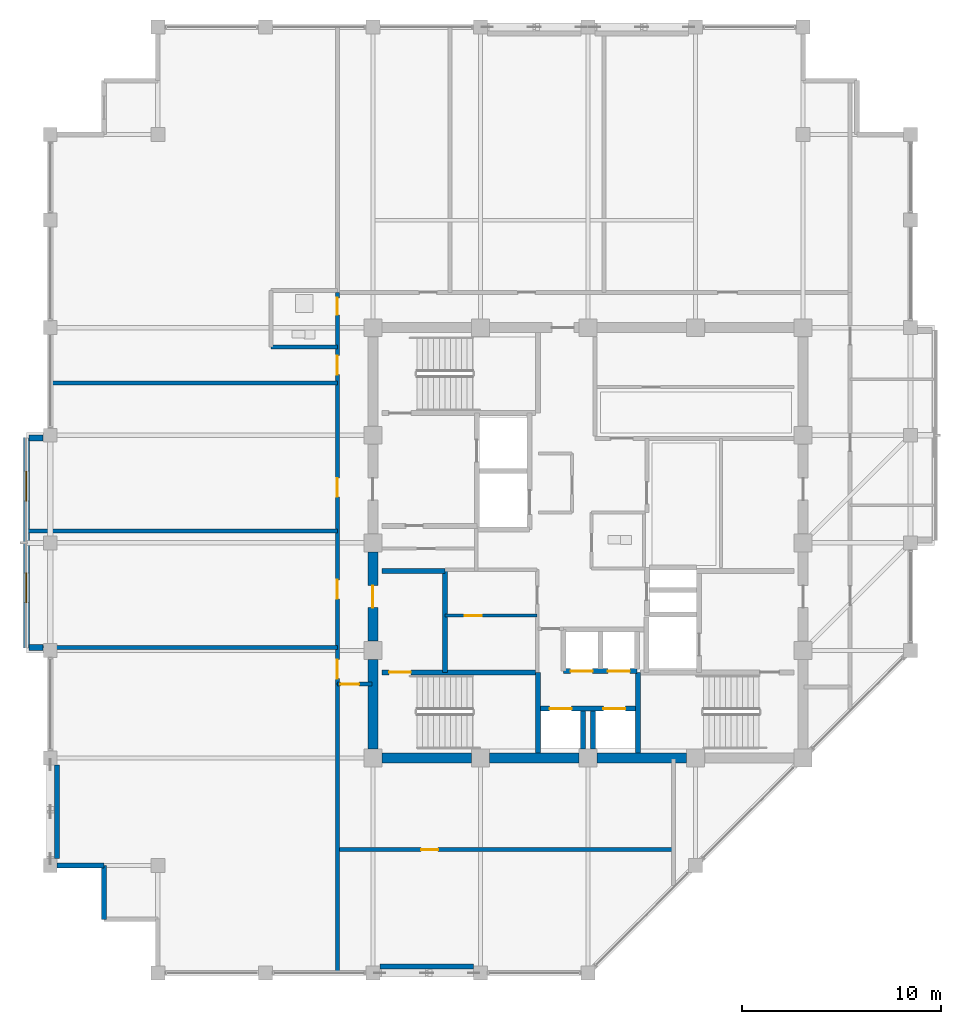
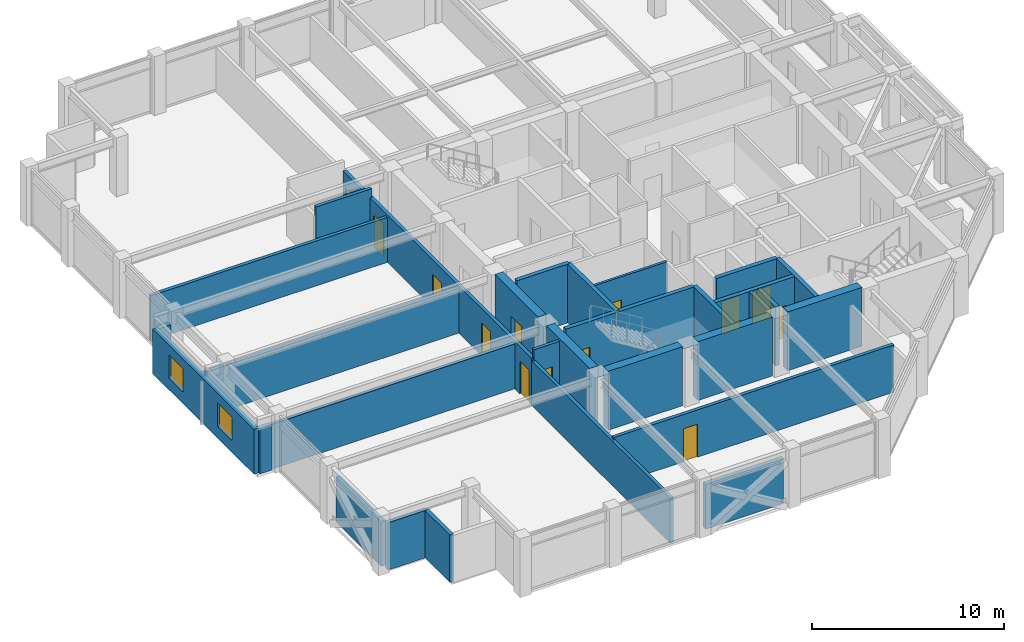
# One storey, part 23 of 29: 30 walls, 14 doors, 2 windows, 16 openings.
"""IFC4 building model written with IfcOpenShell, lengths in metres."""

from ifc_helpers import new_model, si_unit, direction, frame, frame_2d, origin, place, context, subcontext, project, spatial, rectangle, extrude, material, layer, layer_set, type_object, element, fill, save


model = new_model("IFC4")

# Units and contexts
model_context = context("Model", 3, precision=1e-05, world=origin(), true_north=direction((0.0, 1.0)))
body_context = subcontext(model_context, "Body", "Model", "MODEL_VIEW")
ifc_project = project(units=[si_unit("LENGTHUNIT", "METRE"), si_unit("AREAUNIT", "SQUARE_METRE"), si_unit("VOLUMEUNIT", "CUBIC_METRE"), si_unit("PLANEANGLEUNIT", "RADIAN"), si_unit("MASSUNIT", "GRAM", prefix="KILO")], contexts=[model_context])

# Site, building, storey
site_placement = place(None, origin())
site = spatial("IfcSite", under=ifc_project, at=site_placement, CompositionType="ELEMENT")
building_placement = place(site_placement, origin())
building = spatial("IfcBuilding", under=site, at=building_placement, Name="Surkhivell Harbour Commons", CompositionType="ELEMENT")
storey_placement = place(building_placement, frame((0.0, 0.0, 277.5)))
storey = spatial("IfcBuildingStorey", under=building, at=storey_placement, Name="L72", CompositionType="ELEMENT", Elevation=277.5)

# Walls
ifc_material_1 = material(Name="Concrete C50/60", Category="concrete")
ifc_layer_1 = layer(ifc_material_1, 0.5)
ifc_layer_set_1 = layer_set([ifc_layer_1], Name="Concrete C50/60")
wall_type_1 = type_object("IfcWallType", Name="WAL-CORE-500", PredefinedType="SHEAR", material=ifc_layer_set_1)
for number, where, z_axis, x_axis, name in (
    (1, (-10.340087890625, -10.800048828125, 0.0), (0.0, 0.0, 1.0), (1.0, 0.0, 0.0), "L72 Core Shear Wall South 1"),
    (2, (-10.800048828125, -10.340087890625, 0.0), (0.0, 0.0, 1.0), (0.0, 1.0, 0.0), "L72 Core Shear Wall West 1"),
    (3, (-4.93994140625, -10.800048828125, 0.0), (0.0, 0.0, 1.0), (1.0, 0.0, 0.0), "L72 Core Shear Wall South 2"),
):
    element("IfcWall", number, at=place(storey_placement, frame(where, z_axis=z_axis, x_axis=x_axis)), inside=storey, type_object=wall_type_1, Name=name, PredefinedType="SHEAR", context=body_context, shape_type="SweptSolid", body=[
        extrude(rectangle(XDim=4.47998046875, YDim=0.5, at=frame_2d((2.239990234375, 0.0))), origin(), (0.0, 0.0, 1.0), 3.75),
    ])

# Wall, opening, door
wall_1_placement = place(storey_placement, frame((-10.800048828125, -4.93994140625, 0.0), z_axis=(0.0, 0.0, 1.0), x_axis=(0.0, 1.0, 0.0)))
wall_1 = element("IfcWall", 4, at=wall_1_placement, inside=storey, type_object=wall_type_1, Name="L72 Core Shear Wall West 2", PredefinedType="SHEAR", context=body_context, shape_type="SweptSolid", body=[
    extrude(rectangle(XDim=4.47998046875, YDim=0.5, at=frame_2d((2.239990234375, 0.0))), origin(), (0.0, 0.0, 1.0), 3.75),
])
opening_1_placement = place(wall_1_placement, frame((1.68994140625, 0.0, 0.0)))
opening_1 = element("IfcOpeningElement", 5, at=opening_1_placement, cuts=wall_1, Name="Opening ID-2", PredefinedType="OPENING", context=body_context, shape_type="SweptSolid", body=[
    extrude(rectangle(XDim=1.10009765625, YDim=2.10009765625, at=frame_2d((0.550048828125, 1.050048828125))), frame((0.0, 0.260009765625, 0.0), z_axis=(0.0, -1.0, 0.0), x_axis=(1.0, 0.0, 0.0)), (0.0, 0.0, 1.0), 0.52001953125),
])
ifc_material_2 = material(Name="Hardwood-veneered fire-rated door leaf", Category="wood")
door_type_1 = type_object("IfcDoorType", Name="DOR-FD60-1100", OperationType="NOTDEFINED", PredefinedType="DOOR", material=ifc_material_2)
door_1_placement = place(opening_1_placement, origin())
door_1 = element("IfcDoor", 6, at=door_1_placement, inside=storey, type_object=door_type_1, Name="L72 Stair 3 Lobby Corridor Door", OperationType="SINGLE_SWING_LEFT", OverallHeight=2.10009765625, OverallWidth=1.10009765625, PredefinedType="DOOR", context=body_context, shape_type="SweptSolid", body=[
    extrude(rectangle(XDim=1.10009765625, YDim=2.10009765625, at=frame_2d((0.550048828125, 1.050048828125))), frame((0.0, 0.02490234375, 0.0), z_axis=(0.0, -1.0, 0.0), x_axis=(1.0, 0.0, 0.0)), (0.0, 0.0, 1.0), 0.050048828125),
])
fill(opening_1, door_1)

# Wall
wall_2_placement = place(storey_placement, frame((0.4599609375, -10.800048828125, 0.0), z_axis=(0.0, 0.0, 1.0), x_axis=(1.0, 0.0, 0.0)))
element("IfcWall", 7, at=wall_2_placement, inside=storey, type_object=wall_type_1, Name="L72 Core Shear Wall South 3", PredefinedType="SHEAR", context=body_context, shape_type="SweptSolid", body=[
    extrude(rectangle(XDim=4.47998046875, YDim=0.5, at=frame_2d((2.239990234375, 0.0))), origin(), (0.0, 0.0, 1.0), 3.75),
])

# Wall, openings, windows
ifc_material_3 = material(Name="Flemish-bond kiln brick and precast concrete C45/55", Category="masonry")
ifc_layer_2 = layer(ifc_material_3, 0.300048828125)
ifc_layer_set_2 = layer_set([ifc_layer_2], Name="Flemish-bond kiln brick and precast concrete C45/55")
wall_type_2 = type_object("IfcWallType", Name="WAL-EXT-BRK300", PredefinedType="STANDARD", material=ifc_layer_set_2)
wall_3_placement = place(storey_placement, frame((-28.199951171875, 5.280029296875, 0.0), z_axis=(0.0, 0.0, 1.0), x_axis=(0.0, -1.0, 0.0)))
wall_3 = element("IfcWall", 8, at=wall_3_placement, inside=storey, type_object=wall_type_2, Name="L72 Coloured Box Front Wall 02", PredefinedType="STANDARD", context=body_context, shape_type="SweptSolid", body=[
    extrude(rectangle(XDim=10.56005859375, YDim=0.300048828125, at=frame_2d((5.280029296875, 0.0))), origin(), (0.0, 0.0, 1.0), 2.85693359375),
])
opening_2_placement = place(wall_3_placement, frame((1.68505859375, 0.0, 0.75)))
opening_2 = element("IfcOpeningElement", 9, at=opening_2_placement, cuts=wall_3, Name="Opening WN-13", PredefinedType="OPENING", context=body_context, shape_type="SweptSolid", body=[
    extrude(rectangle(XDim=1.5, YDim=1.5, at=frame_2d((0.75, 0.75))), frame((0.0, 0.159912109375, 0.0), z_axis=(0.0, -1.0, 0.0), x_axis=(1.0, 0.0, 0.0)), (0.0, 0.0, 1.0), 0.320068359375),
])
opening_3_placement = place(wall_3_placement, frame((6.784912109375, 0.0, 0.75)))
opening_3 = element("IfcOpeningElement", 10, at=opening_3_placement, cuts=wall_3, Name="Opening WN-13", PredefinedType="OPENING", context=body_context, shape_type="SweptSolid", body=[
    extrude(rectangle(XDim=1.5, YDim=1.5, at=frame_2d((0.75, 0.75))), frame((0.0, 0.159912109375, 0.0), z_axis=(0.0, -1.0, 0.0), x_axis=(1.0, 0.0, 0.0)), (0.0, 0.0, 1.0), 0.320068359375),
])
ifc_material_4 = material(Name="Thermal-break aluminium frame and double low-E glazing", Category="aluminium")
window_type = type_object("IfcWindowType", Name="WIN-BOX-1500x1500", PartitioningType="SINGLE_PANEL", PredefinedType="WINDOW", material=ifc_material_4)
window_1_placement = place(opening_2_placement, origin())
window_1 = element("IfcWindow", 11, at=window_1_placement, inside=storey, type_object=window_type, Name="L72 Coloured Box Square Window 02-1", OverallHeight=1.5, OverallWidth=1.5, PartitioningType="SINGLE_PANEL", PredefinedType="WINDOW", context=body_context, shape_type="SweptSolid", body=[
    extrude(rectangle(XDim=1.5, YDim=1.5, at=frame_2d((0.75, 0.75))), frame((0.0, 0.030029296875, 0.0), z_axis=(0.0, -1.0, 0.0), x_axis=(1.0, 0.0, 0.0)), (0.0, 0.0, 1.0), 0.06005859375),
])
fill(opening_2, window_1)
window_2_placement = place(opening_3_placement, origin())
window_2 = element("IfcWindow", 12, at=window_2_placement, inside=storey, type_object=window_type, Name="L72 Coloured Box Square Window 02-2", OverallHeight=1.5, OverallWidth=1.5, PartitioningType="SINGLE_PANEL", PredefinedType="WINDOW", context=body_context, shape_type="SweptSolid", body=[
    extrude(rectangle(XDim=1.5, YDim=1.5, at=frame_2d((0.75, 0.75))), frame((0.0, 0.030029296875, 0.0), z_axis=(0.0, -1.0, 0.0), x_axis=(1.0, 0.0, 0.0)), (0.0, 0.0, 1.0), 0.06005859375),
])
fill(opening_3, window_2)

# Walls
for number, where, z_axis, x_axis, name in (
    (13, (-28.06005859375, -5.260009765625, 0.0), (0.0, 0.0, 1.0), (1.0, 0.0, 0.0), "L72 Coloured Box Return Wall 02S"),
    (14, (-28.06005859375, 5.260009765625, 0.0), (0.0, 0.0, 1.0), (1.0, 0.0, 0.0), "L72 Coloured Box Return Wall 02N"),
):
    element("IfcWall", number, at=place(storey_placement, frame(where, z_axis=z_axis, x_axis=x_axis)), inside=storey, type_object=wall_type_2, Name=name, PredefinedType="STANDARD", context=body_context, shape_type="SweptSolid", body=[
        extrude(rectangle(XDim=0.7060546875, YDim=0.300048828125, at=frame_2d((0.35302734375, 0.0))), origin(), (0.0, 0.0, 1.0), 2.85693359375),
    ])
ifc_material_5 = material(Name="Pale-metal insulated precast concrete C45/55", Category="concrete")
ifc_layer_3 = layer(ifc_material_5, 0.260009765625)
ifc_layer_set_3 = layer_set([ifc_layer_3], Name="Pale-metal insulated precast concrete C45/55")
wall_type_3 = type_object("IfcWallType", Name="WAL-EXT-MTL260", PredefinedType="STANDARD", material=ifc_layer_set_3)
wall_4_placement = place(storey_placement, frame((-10.451904296875, -21.264892578125, 0.0), z_axis=(0.0, 0.0, 1.0), x_axis=(1.0, 0.0, 0.0)))
element("IfcWall", 15, at=wall_4_placement, inside=storey, type_object=wall_type_3, Name="L72 Braced-Bay Insulated Spandrel Backing S", PredefinedType="STANDARD", context=body_context, shape_type="SweptSolid", body=[
    extrude(rectangle(XDim=4.703857421875, YDim=0.260009765625, at=frame_2d((2.35205078125, 0.0))), origin(), (0.0, 0.0, 1.0), 2.85693359375),
])
wall_5_placement = place(storey_placement, frame((-26.6650390625, -15.85205078125, 0.0), z_axis=(0.0, 0.0, 1.0), x_axis=(0.0, 1.0, 0.0)))
element("IfcWall", 16, at=wall_5_placement, inside=storey, type_object=wall_type_3, Name="L72 Braced-Bay Insulated Spandrel Backing W", PredefinedType="STANDARD", context=body_context, shape_type="SweptSolid", body=[
    extrude(rectangle(XDim=4.7041015625, YDim=0.260009765625, at=frame_2d((2.35205078125, 0.0))), origin(), (0.0, 0.0, 1.0), 2.85693359375),
])
ifc_material_6 = material(Name="Bronze-ochre cassette precast concrete C45/55", Category="concrete")
ifc_layer_4 = layer(ifc_material_6, 0.239990234375)
ifc_layer_set_4 = layer_set([ifc_layer_4], Name="Bronze-ochre cassette precast concrete C45/55")
wall_type_4 = type_object("IfcWallType", Name="WAL-EXT-OCH240", PredefinedType="STANDARD", material=ifc_layer_set_4)
wall_6_placement = place(storey_placement, frame((-26.652099609375, -16.199951171875, 0.0), z_axis=(0.0, 0.0, 1.0), x_axis=(1.0, 0.0, 0.0)))
element("IfcWall", 17, at=wall_6_placement, inside=storey, type_object=wall_type_4, Name="L72 Serrated Corner Facade Wall 13", PredefinedType="STANDARD", context=body_context, shape_type="SweptSolid", body=[
    extrude(rectangle(XDim=2.35205078125, YDim=0.239990234375, at=frame_2d((1.176025390625, 0.0))), origin(), (0.0, 0.0, 1.0), 3.012939453125),
])
wall_7_placement = place(storey_placement, frame((-24.300048828125, -16.199951171875, 0.0), z_axis=(0.0, 0.0, 1.0), x_axis=(0.0, -1.0, 0.0)))
element("IfcWall", 18, at=wall_7_placement, inside=storey, type_object=wall_type_4, Name="L72 Serrated Corner Facade Wall 14", PredefinedType="STANDARD", context=body_context, shape_type="SweptSolid", body=[
    extrude(rectangle(XDim=2.699951171875, YDim=0.239990234375, at=frame_2d((1.35009765625, 0.0))), origin(), (0.0, 0.0, 1.0), 3.012939453125),
])

# Wall, opening, door
ifc_material_7 = material(Name="Twin-stud acoustic fireboard partition", Category="other")
ifc_layer_5 = layer(ifc_material_7, 0.14990234375)
ifc_layer_set_5 = layer_set([ifc_layer_5], Name="Twin-stud acoustic fireboard partition")
wall_type_5 = type_object("IfcWallType", Name="WAL-INT-150", PredefinedType="PARTITIONING", material=ifc_layer_set_5)
wall_8_placement = place(storey_placement, frame((-7.179931640625, -3.64990234375, 0.0), z_axis=(0.0, 0.0, 1.0), x_axis=(1.0, 0.0, 0.0)))
wall_8 = element("IfcWall", 19, at=wall_8_placement, inside=storey, type_object=wall_type_5, Name="L72 Core Cut C1 Partition", PredefinedType="PARTITIONING", context=body_context, shape_type="SweptSolid", body=[
    extrude(rectangle(XDim=4.6298828125, YDim=0.14990234375, at=frame_2d((2.31494140625, 0.0))), origin(), (0.0, 0.0, 1.0), 3.570068359375),
])
opening_4_placement = place(wall_8_placement, frame((1.0, 0.0, 0.0)))
opening_4 = element("IfcOpeningElement", 20, at=opening_4_placement, cuts=wall_8, Name="Opening ID-6", PredefinedType="OPENING", context=body_context, shape_type="SweptSolid", body=[
    extrude(rectangle(XDim=0.85009765625, YDim=2.10009765625, at=frame_2d((0.425048828125, 1.050048828125))), frame((0.0, 0.0849609375, 0.0), z_axis=(0.0, -1.0, 0.0), x_axis=(1.0, 0.0, 0.0)), (0.0, 0.0, 1.0), 0.169921875),
])
door_type_2 = type_object("IfcDoorType", Name="DOR-FD30-850", OperationType="NOTDEFINED", PredefinedType="DOOR", material=ifc_material_2)
door_2_placement = place(opening_4_placement, origin())
door_2 = element("IfcDoor", 21, at=door_2_placement, inside=storey, type_object=door_type_2, Name="L72 Cleaner Room Door", OperationType="SINGLE_SWING_LEFT", OverallHeight=2.10009765625, OverallWidth=0.85009765625, PredefinedType="DOOR", context=body_context, shape_type="SweptSolid", body=[
    extrude(rectangle(XDim=0.85009765625, YDim=2.10009765625, at=frame_2d((0.425048828125, 1.050048828125))), frame((0.0, 0.02490234375, 0.0), z_axis=(0.0, -1.0, 0.0), x_axis=(1.0, 0.0, 0.0)), (0.0, 0.0, 1.0), 0.050048828125),
])
fill(opening_4, door_2)

ifc_material_8 = material(Name="Autoclaved aerated concrete blockwork and fire plaster", Category="masonry")
ifc_layer_6 = layer(ifc_material_8, 0.199951171875)
ifc_layer_set_6 = layer_set([ifc_layer_6], Name="Autoclaved aerated concrete blockwork and fire plaster")
wall_type_6 = type_object("IfcWallType", Name="WAL-INT-200", PredefinedType="PARTITIONING", material=ifc_layer_set_6)
wall_9_placement = place(storey_placement, frame((-12.580078125, -15.39990234375, 0.0), z_axis=(0.0, 0.0, 1.0), x_axis=(1.0, 0.0, 0.0)))
wall_9 = element("IfcWall", 22, at=wall_9_placement, inside=storey, type_object=wall_type_6, Name="L72 South Wing Horizontal Partition", PredefinedType="PARTITIONING", context=body_context, shape_type="SweptSolid", body=[
    extrude(rectangle(XDim=16.880126953125, YDim=0.199951171875, at=frame_2d((8.43994140625, 0.0))), origin(), (0.0, 0.0, 1.0), 3.012939453125),
])
opening_5_placement = place(wall_9_placement, frame((4.199951171875, 0.0, 0.0)))
opening_5 = element("IfcOpeningElement", 23, at=opening_5_placement, cuts=wall_9, Name="Opening ID-6", PredefinedType="OPENING", context=body_context, shape_type="SweptSolid", body=[
    extrude(rectangle(XDim=0.85009765625, YDim=2.10009765625, at=frame_2d((0.425048828125, 1.050048828125))), frame((0.0, 0.10986328125, 0.0), z_axis=(0.0, -1.0, 0.0), x_axis=(1.0, 0.0, 0.0)), (0.0, 0.0, 1.0), 0.219970703125),
])
door_3_placement = place(opening_5_placement, origin())
door_3 = element("IfcDoor", 24, at=door_3_placement, inside=storey, type_object=door_type_2, Name="L72 South Music Door", OperationType="SINGLE_SWING_RIGHT", OverallHeight=2.10009765625, OverallWidth=0.85009765625, PredefinedType="DOOR", context=body_context, shape_type="SweptSolid", body=[
    extrude(rectangle(XDim=0.85009765625, YDim=2.10009765625, at=frame_2d((0.425048828125, 1.050048828125))), frame((0.0, 0.02490234375, 0.0), z_axis=(0.0, -1.0, 0.0), x_axis=(1.0, 0.0, 0.0)), (0.0, 0.0, 1.0), 0.050048828125),
])
fill(opening_5, door_3)

# Wall
wall_10_placement = place(storey_placement, frame((-12.580078125, -21.5400390625, 0.0), z_axis=(0.0, 0.0, 1.0), x_axis=(0.0, 1.0, 0.0)))
element("IfcWall", 25, at=wall_10_placement, inside=storey, type_object=wall_type_6, Name="L72 South Hall West Divider", PredefinedType="PARTITIONING", context=body_context, shape_type="SweptSolid", body=[
    extrude(rectangle(XDim=14.43994140625, YDim=0.199951171875, at=frame_2d((7.219970703125, 0.0))), origin(), (0.0, 0.0, 1.0), 2.85693359375),
])

# Wall, openings, doors
wall_11_placement = place(storey_placement, frame((-12.580078125, -7.10009765625, 0.0), z_axis=(0.0, 0.0, 1.0), x_axis=(0.0, 1.0, 0.0)))
wall_11 = element("IfcWall", 26, at=wall_11_placement, inside=storey, type_object=wall_type_6, Name="L72 West Corridor Wall", PredefinedType="PARTITIONING", context=body_context, shape_type="SweptSolid", body=[
    extrude(rectangle(XDim=19.68017578125, YDim=0.199951171875, at=frame_2d((9.840087890625, 0.0))), origin(), (0.0, 0.0, 1.0), 3.012939453125),
])
opening_6_placement = place(wall_11_placement, frame((0.280029296875, 0.0, 0.0)))
opening_6 = element("IfcOpeningElement", 27, at=opening_6_placement, cuts=wall_11, Name="Opening ID-4", PredefinedType="OPENING", context=body_context, shape_type="SweptSolid", body=[
    extrude(rectangle(XDim=0.949951171875, YDim=2.10009765625, at=frame_2d((0.47509765625, 1.050048828125))), frame((0.0, 0.10986328125, 0.0), z_axis=(0.0, -1.0, 0.0), x_axis=(1.0, 0.0, 0.0)), (0.0, 0.0, 1.0), 0.219970703125),
])
opening_7_placement = place(wall_11_placement, frame((18.550048828125, 0.0, 0.0)))
opening_7 = element("IfcOpeningElement", 28, at=opening_7_placement, cuts=wall_11, Name="Opening ID-6", PredefinedType="OPENING", context=body_context, shape_type="SweptSolid", body=[
    extrude(rectangle(XDim=0.85009765625, YDim=2.10009765625, at=frame_2d((0.425048828125, 1.050048828125))), frame((0.0, 0.10986328125, 0.0), z_axis=(0.0, -1.0, 0.0), x_axis=(1.0, 0.0, 0.0)), (0.0, 0.0, 1.0), 0.219970703125),
])
opening_8_placement = place(wall_11_placement, frame((15.550048828125, 0.0, 0.0)))
opening_8 = element("IfcOpeningElement", 29, at=opening_8_placement, cuts=wall_11, Name="Opening ID-4", PredefinedType="OPENING", context=body_context, shape_type="SweptSolid", body=[
    extrude(rectangle(XDim=0.949951171875, YDim=2.10009765625, at=frame_2d((0.47509765625, 1.050048828125))), frame((0.0, 0.10986328125, 0.0), z_axis=(0.0, -1.0, 0.0), x_axis=(1.0, 0.0, 0.0)), (0.0, 0.0, 1.0), 0.219970703125),
])
opening_9_placement = place(wall_11_placement, frame((4.2900390625, 0.0, 0.0)))
opening_9 = element("IfcOpeningElement", 30, at=opening_9_placement, cuts=wall_11, Name="Opening ID-4", PredefinedType="OPENING", context=body_context, shape_type="SweptSolid", body=[
    extrude(rectangle(XDim=0.949951171875, YDim=2.10009765625, at=frame_2d((0.47509765625, 1.050048828125))), frame((0.0, 0.10986328125, 0.0), z_axis=(0.0, -1.0, 0.0), x_axis=(1.0, 0.0, 0.0)), (0.0, 0.0, 1.0), 0.219970703125),
])
opening_10_placement = place(wall_11_placement, frame((9.4013671875, 0.0, 0.0)))
opening_10 = element("IfcOpeningElement", 31, at=opening_10_placement, cuts=wall_11, Name="Opening ID-4", PredefinedType="OPENING", context=body_context, shape_type="SweptSolid", body=[
    extrude(rectangle(XDim=0.949951171875, YDim=2.10009765625, at=frame_2d((0.47509765625, 1.050048828125))), frame((0.0, 0.10986328125, 0.0), z_axis=(0.0, -1.0, 0.0), x_axis=(1.0, 0.0, 0.0)), (0.0, 0.0, 1.0), 0.219970703125),
])
door_4_placement = place(opening_7_placement, origin())
door_4 = element("IfcDoor", 32, at=door_4_placement, inside=storey, type_object=door_type_2, Name="L72 Communal Shower Bathroom West Door", OperationType="SINGLE_SWING_LEFT", OverallHeight=2.10009765625, OverallWidth=0.85009765625, PredefinedType="DOOR", context=body_context, shape_type="SweptSolid", body=[
    extrude(rectangle(XDim=0.85009765625, YDim=2.10009765625, at=frame_2d((0.425048828125, 1.050048828125))), frame((0.0, 0.02490234375, 0.0), z_axis=(0.0, -1.0, 0.0), x_axis=(1.0, 0.0, 0.0)), (0.0, 0.0, 1.0), 0.050048828125),
])
fill(opening_7, door_4)
door_type_3 = type_object("IfcDoorType", Name="DOR-FD60-950", OperationType="NOTDEFINED", PredefinedType="DOOR", material=ifc_material_2)
door_5_placement = place(opening_6_placement, origin())
door_5 = element("IfcDoor", 33, at=door_5_placement, inside=storey, type_object=door_type_3, Name="L72 Shared Communal Kitchen West Door", OperationType="SINGLE_SWING_RIGHT", OverallHeight=2.10009765625, OverallWidth=0.949951171875, PredefinedType="DOOR", context=body_context, shape_type="SweptSolid", body=[
    extrude(rectangle(XDim=0.949951171875, YDim=2.10009765625, at=frame_2d((0.47509765625, 1.050048828125))), frame((0.0, 0.02490234375, 0.0), z_axis=(0.0, -1.0, 0.0), x_axis=(1.0, 0.0, 0.0)), (0.0, 0.0, 1.0), 0.050048828125),
])
fill(opening_6, door_5)
door_6_placement = place(opening_8_placement, origin())
door_6 = element("IfcDoor", 34, at=door_6_placement, inside=storey, type_object=door_type_3, Name="L72 Academic Reading Commons West Door", OperationType="SINGLE_SWING_RIGHT", OverallHeight=2.10009765625, OverallWidth=0.949951171875, PredefinedType="DOOR", context=body_context, shape_type="SweptSolid", body=[
    extrude(rectangle(XDim=0.949951171875, YDim=2.10009765625, at=frame_2d((0.47509765625, 1.050048828125))), frame((0.0, 0.02490234375, 0.0), z_axis=(0.0, -1.0, 0.0), x_axis=(1.0, 0.0, 0.0)), (0.0, 0.0, 1.0), 0.050048828125),
])
fill(opening_8, door_6)
door_7_placement = place(opening_9_placement, origin())
door_7 = element("IfcDoor", 35, at=door_7_placement, inside=storey, type_object=door_type_3, Name="L72 Hostel Cluster Bedroom 1 West Door", OperationType="SINGLE_SWING_LEFT", OverallHeight=2.10009765625, OverallWidth=0.949951171875, PredefinedType="DOOR", context=body_context, shape_type="SweptSolid", body=[
    extrude(rectangle(XDim=0.949951171875, YDim=2.10009765625, at=frame_2d((0.47509765625, 1.050048828125))), frame((0.0, 0.02490234375, 0.0), z_axis=(0.0, -1.0, 0.0), x_axis=(1.0, 0.0, 0.0)), (0.0, 0.0, 1.0), 0.050048828125),
])
fill(opening_9, door_7)
door_8_placement = place(opening_10_placement, origin())
door_8 = element("IfcDoor", 36, at=door_8_placement, inside=storey, type_object=door_type_3, Name="L72 Co-Living Dormitory Bedroom 2 West Door", OperationType="SINGLE_SWING_RIGHT", OverallHeight=2.10009765625, OverallWidth=0.949951171875, PredefinedType="DOOR", context=body_context, shape_type="SweptSolid", body=[
    extrude(rectangle(XDim=0.949951171875, YDim=2.10009765625, at=frame_2d((0.47509765625, 1.050048828125))), frame((0.0, 0.02490234375, 0.0), z_axis=(0.0, -1.0, 0.0), x_axis=(1.0, 0.0, 0.0)), (0.0, 0.0, 1.0), 0.050048828125),
])
fill(opening_10, door_8)

# Wall, opening, door
wall_12_placement = place(storey_placement, frame((-12.580078125, -7.10009765625, 0.0), z_axis=(0.0, 0.0, 1.0), x_axis=(1.0, 0.0, 0.0)))
wall_12 = element("IfcWall", 37, at=wall_12_placement, inside=storey, type_object=wall_type_6, Name="L72 West Corridor South Portal Wall", PredefinedType="PARTITIONING", context=body_context, shape_type="SweptSolid", body=[
    extrude(rectangle(XDim=1.72998046875, YDim=0.199951171875, at=frame_2d((0.864990234375, 0.0))), origin(), (0.0, 0.0, 1.0), 3.570068359375),
])
opening_11_placement = place(wall_12_placement, frame((0.139892578125, 0.0, 0.0)))
opening_11 = element("IfcOpeningElement", 38, at=opening_11_placement, cuts=wall_12, Name="Opening ID-4", PredefinedType="OPENING", context=body_context, shape_type="SweptSolid", body=[
    extrude(rectangle(XDim=0.949951171875, YDim=2.10009765625, at=frame_2d((0.47509765625, 1.050048828125))), frame((0.0, 0.10986328125, 0.0), z_axis=(0.0, -1.0, 0.0), x_axis=(1.0, 0.0, 0.0)), (0.0, 0.0, 1.0), 0.219970703125),
])
door_9_placement = place(opening_11_placement, origin())
door_9 = element("IfcDoor", 39, at=door_9_placement, inside=storey, type_object=door_type_3, Name="L72 South Dining Door", OperationType="SINGLE_SWING_RIGHT", OverallHeight=2.10009765625, OverallWidth=0.949951171875, PredefinedType="DOOR", context=body_context, shape_type="SweptSolid", body=[
    extrude(rectangle(XDim=0.949951171875, YDim=2.10009765625, at=frame_2d((0.47509765625, 1.050048828125))), frame((0.0, 0.02490234375, 0.0), z_axis=(0.0, -1.0, 0.0), x_axis=(1.0, 0.0, 0.0)), (0.0, 0.0, 1.0), 0.050048828125),
])
fill(opening_11, door_9)

# Walls
wall_13_placement = place(storey_placement, frame((-28.139892578125, 0.590087890625, 0.0), z_axis=(0.0, 0.0, 1.0), x_axis=(1.0, 0.0, 0.0)))
element("IfcWall", 40, at=wall_13_placement, inside=storey, type_object=wall_type_6, Name="L72 West Partition BDP1", PredefinedType="PARTITIONING", context=body_context, shape_type="SweptSolid", body=[
    extrude(rectangle(XDim=15.559814453125, YDim=0.199951171875, at=frame_2d((7.77978515625, 0.0))), origin(), (0.0, 0.0, 1.0), 2.85693359375),
])
wall_14_placement = place(storey_placement, frame((-15.929931640625, 9.830078125, 0.0), z_axis=(0.0, 0.0, 1.0), x_axis=(1.0, 0.0, 0.0)))
element("IfcWall", 41, at=wall_14_placement, inside=storey, type_object=wall_type_6, Name="L72 West Partition BTHS", PredefinedType="PARTITIONING", context=body_context, shape_type="SweptSolid", body=[
    extrude(rectangle(XDim=3.349853515625, YDim=0.199951171875, at=frame_2d((1.6748046875, 0.0))), origin(), (0.0, 0.0, 1.0), 3.570068359375),
])
wall_15_placement = place(storey_placement, frame((-27.35400390625, -5.25, 0.0), z_axis=(0.0, 0.0, 1.0), x_axis=(1.0, 0.0, 0.0)))
element("IfcWall", 42, at=wall_15_placement, inside=storey, type_object=wall_type_6, Name="L72 West Partition PBOT", PredefinedType="PARTITIONING", context=body_context, shape_type="SweptSolid", body=[
    extrude(rectangle(XDim=14.77392578125, YDim=0.199951171875, at=frame_2d((7.386962890625, 0.0))), origin(), (0.0, 0.0, 1.0), 2.85693359375),
])
wall_16_placement = place(storey_placement, frame((-26.93994140625, 8.030029296875, 0.0), z_axis=(0.0, 0.0, 1.0), x_axis=(1.0, 0.0, 0.0)))
element("IfcWall", 43, at=wall_16_placement, inside=storey, type_object=wall_type_6, Name="L72 West Partition PTOP", PredefinedType="PARTITIONING", context=body_context, shape_type="SweptSolid", body=[
    extrude(rectangle(XDim=14.35986328125, YDim=0.199951171875, at=frame_2d((7.179931640625, 0.0))), origin(), (0.0, 0.0, 1.0), 2.85693359375),
])
ifc_layer_7 = layer(ifc_material_1, 0.25)
ifc_layer_set_7 = layer_set([ifc_layer_7], Name="Concrete C50/60")
wall_type_7 = type_object("IfcWallType", Name="WAL-SHAFT-250", PredefinedType="SHEAR", material=ifc_layer_set_7)
for number, where, z_axis, x_axis, name in (
    (44, (-0.25, -10.35009765625, 0.0), (0.0, 0.0, 1.0), (0.0, 1.0, 0.0), "L72 High-Rise Side Wall S"),
    (45, (0.25, -10.35009765625, 0.0), (0.0, 0.0, 1.0), (0.0, 1.0, 0.0), "L72 High-Rise Side Wall S"),
):
    element("IfcWall", number, at=place(storey_placement, frame(where, z_axis=z_axis, x_axis=x_axis)), inside=storey, type_object=wall_type_7, Name=name, PredefinedType="SHEAR", context=body_context, shape_type="SweptSolid", body=[
        extrude(rectangle(XDim=1.91015625, YDim=0.25, at=frame_2d((0.955078125, 0.0))), origin(), (0.0, 0.0, 1.0), 3.75),
    ])

# Wall, openings, doors
wall_17_placement = place(storey_placement, frame((-1.219970703125, -6.43994140625, 0.0), z_axis=(0.0, 0.0, 1.0), x_axis=(1.0, 0.0, 0.0)))
wall_17 = element("IfcWall", 46, at=wall_17_placement, inside=storey, type_object=wall_type_7, Name="L72 High-Rise North Front Shaft Wall", PredefinedType="SHEAR", context=body_context, shape_type="SweptSolid", body=[
    extrude(rectangle(XDim=3.669921875, YDim=0.25, at=frame_2d((1.8349609375, 0.0))), origin(), (0.0, 0.0, 1.0), 3.75),
])
opening_12_placement = place(wall_17_placement, frame((0.35009765625, 0.0, 0.0)))
opening_12 = element("IfcOpeningElement", 47, at=opening_12_placement, cuts=wall_17, Name="Opening LD-1", PredefinedType="OPENING", context=body_context, shape_type="SweptSolid", body=[
    extrude(rectangle(XDim=1.10009765625, YDim=2.10009765625, at=frame_2d((0.550048828125, 1.050048828125))), frame((0.0, 0.135009765625, 0.0), z_axis=(0.0, -1.0, 0.0), x_axis=(1.0, 0.0, 0.0)), (0.0, 0.0, 1.0), 0.27001953125),
])
opening_13_placement = place(wall_17_placement, frame((2.219970703125, 0.0, 0.0)))
opening_13 = element("IfcOpeningElement", 48, at=opening_13_placement, cuts=wall_17, Name="Opening LD-1", PredefinedType="OPENING", context=body_context, shape_type="SweptSolid", body=[
    extrude(rectangle(XDim=1.10009765625, YDim=2.10009765625, at=frame_2d((0.550048828125, 1.050048828125))), frame((0.0, 0.135009765625, 0.0), z_axis=(0.0, -1.0, 0.0), x_axis=(1.0, 0.0, 0.0)), (0.0, 0.0, 1.0), 0.27001953125),
])
ifc_material_9 = material(Name="Brushed stainless steel S355", Category="steel")
door_type_4 = type_object("IfcDoorType", Name="DOR-LD-1100", OperationType="SLIDING_TO_LEFT", PredefinedType="DOOR", material=ifc_material_9)
door_10_placement = place(opening_12_placement, origin())
door_10 = element("IfcDoor", 49, at=door_10_placement, inside=storey, type_object=door_type_4, Name="L72 Lift Landing Door LD-PH1", OperationType="SLIDING_TO_LEFT", OverallHeight=2.10009765625, OverallWidth=1.10009765625, PredefinedType="DOOR", context=body_context, shape_type="SweptSolid", body=[
    extrude(rectangle(XDim=1.10009765625, YDim=2.10009765625, at=frame_2d((0.550048828125, 1.050048828125))), frame((0.0, 0.02490234375, 0.0), z_axis=(0.0, -1.0, 0.0), x_axis=(1.0, 0.0, 0.0)), (0.0, 0.0, 1.0), 0.050048828125),
])
fill(opening_12, door_10)
door_11_placement = place(opening_13_placement, origin())
door_11 = element("IfcDoor", 50, at=door_11_placement, inside=storey, type_object=door_type_4, Name="L72 Lift Landing Door LD-PH2", OperationType="SLIDING_TO_LEFT", OverallHeight=2.10009765625, OverallWidth=1.10009765625, PredefinedType="DOOR", context=body_context, shape_type="SweptSolid", body=[
    extrude(rectangle(XDim=1.10009765625, YDim=2.10009765625, at=frame_2d((0.550048828125, 1.050048828125))), frame((0.0, 0.02490234375, 0.0), z_axis=(0.0, -1.0, 0.0), x_axis=(1.0, 0.0, 0.0)), (0.0, 0.0, 1.0), 0.050048828125),
])
fill(opening_13, door_11)

wall_18_placement = place(storey_placement, frame((-2.47998046875, -8.320068359375, 0.0), z_axis=(0.0, 0.0, 1.0), x_axis=(1.0, 0.0, 0.0)))
wall_18 = element("IfcWall", 51, at=wall_18_placement, inside=storey, type_object=wall_type_7, Name="L72 High-Rise South Front Shaft Wall", PredefinedType="SHEAR", context=body_context, shape_type="SweptSolid", body=[
    extrude(rectangle(XDim=4.929931640625, YDim=0.25, at=frame_2d((2.46484375, 0.0))), origin(), (0.0, 0.0, 1.0), 3.75),
])
opening_14_placement = place(wall_18_placement, frame((0.550048828125, 0.0, 0.0)))
opening_14 = element("IfcOpeningElement", 52, at=opening_14_placement, cuts=wall_18, Name="Opening LD-1", PredefinedType="OPENING", context=body_context, shape_type="SweptSolid", body=[
    extrude(rectangle(XDim=1.10009765625, YDim=2.10009765625, at=frame_2d((0.550048828125, 1.050048828125))), frame((0.0, 0.135009765625, 0.0), z_axis=(0.0, -1.0, 0.0), x_axis=(1.0, 0.0, 0.0)), (0.0, 0.0, 1.0), 0.27001953125),
])
opening_15_placement = place(wall_18_placement, frame((3.25, 0.0, 0.0)))
opening_15 = element("IfcOpeningElement", 53, at=opening_15_placement, cuts=wall_18, Name="Opening LD-1", PredefinedType="OPENING", context=body_context, shape_type="SweptSolid", body=[
    extrude(rectangle(XDim=1.10009765625, YDim=2.10009765625, at=frame_2d((0.550048828125, 1.050048828125))), frame((0.0, 0.135009765625, 0.0), z_axis=(0.0, -1.0, 0.0), x_axis=(1.0, 0.0, 0.0)), (0.0, 0.0, 1.0), 0.27001953125),
])
door_12_placement = place(opening_14_placement, origin())
door_12 = element("IfcDoor", 54, at=door_12_placement, inside=storey, type_object=door_type_4, Name="L72 Lift Landing Door LD-PH3", OperationType="SLIDING_TO_LEFT", OverallHeight=2.10009765625, OverallWidth=1.10009765625, PredefinedType="DOOR", context=body_context, shape_type="SweptSolid", body=[
    extrude(rectangle(XDim=1.10009765625, YDim=2.10009765625, at=frame_2d((0.550048828125, 1.050048828125))), frame((0.0, 0.02490234375, 0.0), z_axis=(0.0, -1.0, 0.0), x_axis=(1.0, 0.0, 0.0)), (0.0, 0.0, 1.0), 0.050048828125),
])
fill(opening_14, door_12)
door_13_placement = place(opening_15_placement, origin())
door_13 = element("IfcDoor", 55, at=door_13_placement, inside=storey, type_object=door_type_4, Name="L72 Lift Landing Door LD-PH4", OperationType="SLIDING_TO_LEFT", OverallHeight=2.10009765625, OverallWidth=1.10009765625, PredefinedType="DOOR", context=body_context, shape_type="SweptSolid", body=[
    extrude(rectangle(XDim=1.10009765625, YDim=2.10009765625, at=frame_2d((0.550048828125, 1.050048828125))), frame((0.0, 0.02490234375, 0.0), z_axis=(0.0, -1.0, 0.0), x_axis=(1.0, 0.0, 0.0)), (0.0, 0.0, 1.0), 0.050048828125),
])
fill(opening_15, door_13)

# Walls
for number, where, z_axis, x_axis, name in (
    (56, (2.510009765625, -10.550048828125, 0.0), (0.0, 0.0, 1.0), (0.0, 1.0, 0.0), "L72 Stair ST2 West Shear Wall"),
    (57, (-2.510009765625, -10.550048828125, 0.0), (0.0, 0.0, 1.0), (0.0, 1.0, 0.0), "L72 Stair ST3 East Shear Wall"),
):
    element("IfcWall", number, at=place(storey_placement, frame(where, z_axis=z_axis, x_axis=x_axis)), inside=storey, type_object=wall_type_7, Name=name, PredefinedType="SHEAR", context=body_context, shape_type="SweptSolid", body=[
        extrude(rectangle(XDim=4.0400390625, YDim=0.25, at=frame_2d((2.02001953125, 0.0))), origin(), (0.0, 0.0, 1.0), 3.75),
    ])
wall_19_placement = place(storey_placement, frame((-7.179931640625, -6.510009765625, 0.0), z_axis=(0.0, 0.0, 1.0), x_axis=(0.0, 1.0, 0.0)))
element("IfcWall", 58, at=wall_19_placement, inside=storey, type_object=wall_type_7, Name="L72 Stair 3 Lobby East Wall", PredefinedType="SHEAR", context=body_context, shape_type="SweptSolid", body=[
    extrude(rectangle(XDim=5.090087890625, YDim=0.25, at=frame_2d((2.544921875, 0.0))), origin(), (0.0, 0.0, 1.0), 3.75),
])
wall_20_placement = place(storey_placement, frame((-10.340087890625, -1.419921875, 0.0), z_axis=(0.0, 0.0, 1.0), x_axis=(1.0, 0.0, 0.0)))
element("IfcWall", 59, at=wall_20_placement, inside=storey, type_object=wall_type_7, Name="L72 Stair 3 Lobby North Wall", PredefinedType="SHEAR", context=body_context, shape_type="SweptSolid", body=[
    extrude(rectangle(XDim=3.16015625, YDim=0.25, at=frame_2d((1.580078125, 0.0))), origin(), (0.0, 0.0, 1.0), 3.75),
])

# Wall, opening, door
wall_21_placement = place(storey_placement, frame((-10.340087890625, -6.510009765625, 0.0), z_axis=(0.0, 0.0, 1.0), x_axis=(1.0, 0.0, 0.0)))
wall_21 = element("IfcWall", 60, at=wall_21_placement, inside=storey, type_object=wall_type_7, Name="L72 Stair ST3 North Shear Wall", PredefinedType="SHEAR", context=body_context, shape_type="SweptSolid", body=[
    extrude(rectangle(XDim=7.7001953125, YDim=0.25, at=frame_2d((3.85009765625, 0.0))), origin(), (0.0, 0.0, 1.0), 3.75),
])
opening_16_placement = place(wall_21_placement, frame((0.35009765625, 0.0, 0.0)))
opening_16 = element("IfcOpeningElement", 61, at=opening_16_placement, cuts=wall_21, Name="Opening ID-2", PredefinedType="OPENING", context=body_context, shape_type="SweptSolid", body=[
    extrude(rectangle(XDim=1.10009765625, YDim=2.10009765625, at=frame_2d((0.550048828125, 1.050048828125))), frame((0.0, 0.135009765625, 0.0), z_axis=(0.0, -1.0, 0.0), x_axis=(1.0, 0.0, 0.0)), (0.0, 0.0, 1.0), 0.27001953125),
])
door_14_placement = place(opening_16_placement, origin())
door_14 = element("IfcDoor", 62, at=door_14_placement, inside=storey, type_object=door_type_1, Name="L72 Stair ST3 Exit Door", OperationType="SINGLE_SWING_RIGHT", OverallHeight=2.10009765625, OverallWidth=1.10009765625, PredefinedType="DOOR", context=body_context, shape_type="SweptSolid", body=[
    extrude(rectangle(XDim=1.10009765625, YDim=2.10009765625, at=frame_2d((0.550048828125, 1.050048828125))), frame((0.0, 0.02490234375, 0.0), z_axis=(0.0, -1.0, 0.0), x_axis=(1.0, 0.0, 0.0)), (0.0, 0.0, 1.0), 0.050048828125),
])
fill(opening_16, door_14)

save(model, "model.ifc")
